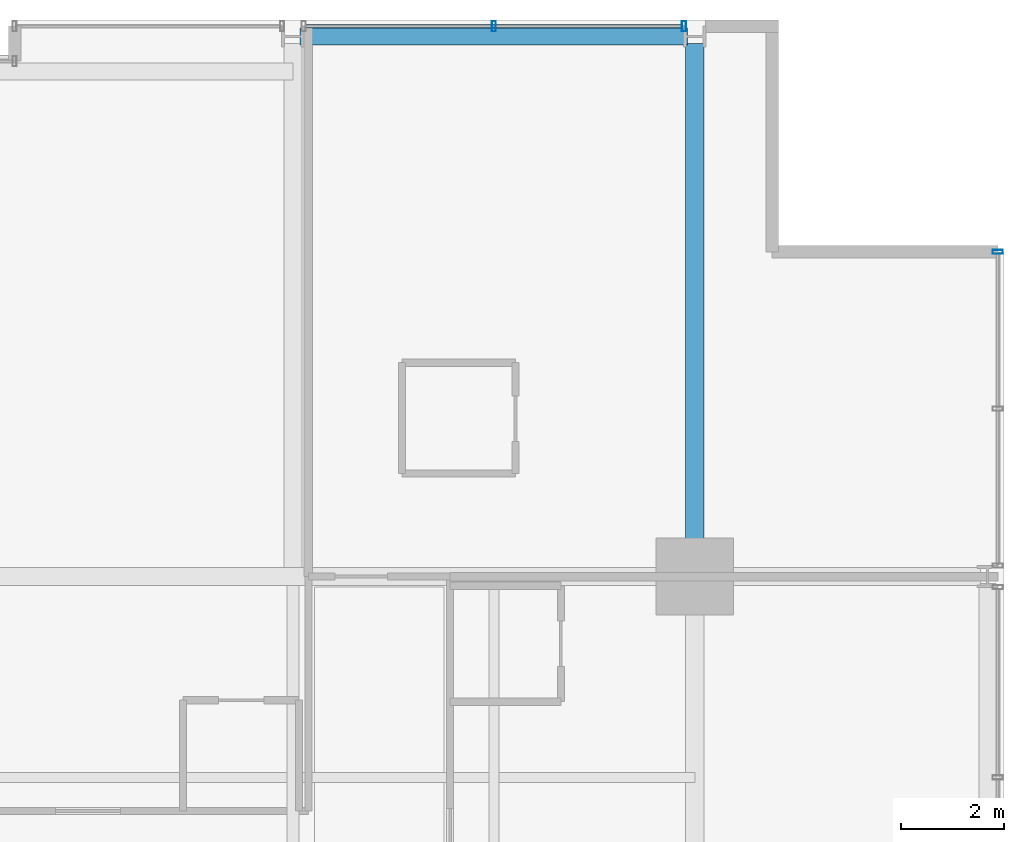
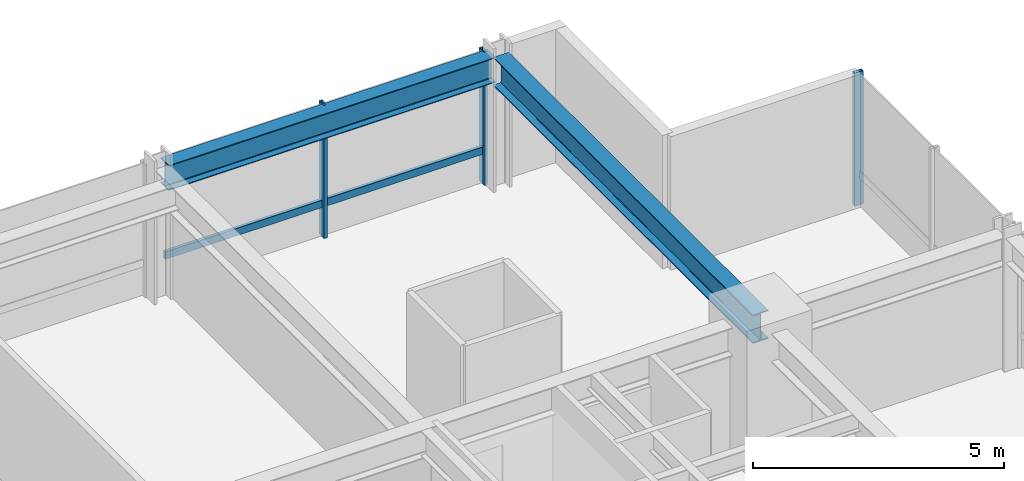
# One storey, part 26 of 35: 4 members, 2 beams, 2 elements without a shape of their own.
"""IFC4 building model written with IfcOpenShell, lengths in metres."""

import ifcopenshell
import ifcopenshell.guid

model = None  # the IFC model being written
_history = None  # IfcOwnerHistory: only IFC2X3 demands one
_inside = {}  # id of a spatial element -> (the spatial element, [elements in it])
_under = {}  # id of a project, library or spatial element -> (it, [spatial elements below it])
_declared = {}  # id of a project -> (the project, [libraries it declares])
_typed = {}  # id of a type object -> (the type object, [elements of that type])
_made_of = {}  # id of a material, layer set ... -> (it, [elements and type objects made of it])


def new_model(schema):
    """Start an empty IFC model of exactly this schema.

    Asked for "IFC4X3", IfcOpenShell would pick the latest addendum, in which some entities
    have other attributes; the version numbers below select the first issue.
    IFC2X3 requires an IfcOwnerHistory on every rooted entity: one is made here for all.
    """
    global model, _history
    if schema == "IFC4X3":
        model = ifcopenshell.file(schema_version=(4, 3, 0, 0))
    else:
        model = ifcopenshell.file(schema=schema)
    _inside.clear()
    _under.clear()
    _declared.clear()
    _typed.clear()
    _made_of.clear()
    _history = None
    if model.schema == "IFC2X3":
        org = make("IfcOrganization", Name="unknown")
        user = make(
            "IfcPersonAndOrganization",
            ThePerson=make("IfcPerson", FamilyName="unknown"),
            TheOrganization=org,
        )
        app = make(
            "IfcApplication",
            ApplicationDeveloper=org,
            Version="unknown",
            ApplicationFullName="unknown",
            ApplicationIdentifier="unknown",
        )
        _history = make(
            "IfcOwnerHistory",
            OwningUser=user,
            OwningApplication=app,
            ChangeAction="ADDED",
            CreationDate=0,
        )
    return model


def make(cls, **values):
    """One entity of the class cls with the attributes given. An attribute that is None is left unset."""
    return model.create_entity(
        cls, **{name: value for name, value in values.items() if value is not None}
    )


def rooted(cls, **values):
    """An entity with a GlobalId (a new one), such as an element, a storey or a relation."""
    return make(cls, GlobalId=ifcopenshell.guid.new(), OwnerHistory=_history, **values)


def si_unit(unit_type, name, prefix=None):
    """IfcSIUnit, for example si_unit("LENGTHUNIT", "METRE", prefix="MILLI")."""
    return make("IfcSIUnit", UnitType=unit_type, Prefix=prefix, Name=name)


def assignment(units):
    """IfcUnitAssignment: the units of a project."""
    return None if units is None else make("IfcUnitAssignment", Units=units)


def point(xyz):
    """IfcCartesianPoint."""
    return None if xyz is None else make("IfcCartesianPoint", Coordinates=xyz)


def direction(xyz):
    """IfcDirection."""
    return None if xyz is None else make("IfcDirection", DirectionRatios=xyz)


def frame(location, z_axis=None, x_axis=None):
    """IfcAxis2Placement3D, a coordinate frame: its origin and axes. An axis left out is left unset."""
    return make(
        "IfcAxis2Placement3D",
        Location=point(location),
        Axis=direction(z_axis),
        RefDirection=direction(x_axis),
    )


def frame_2d(location, x_axis=None):
    """IfcAxis2Placement2D, a coordinate frame in the plane: its origin and x axis."""
    return make(
        "IfcAxis2Placement2D", Location=point(location), RefDirection=direction(x_axis)
    )


def origin():
    """The frame at (0, 0, 0) with its axes left unset."""
    return frame((0.0, 0.0, 0.0))


def origin_2d():
    """The frame at (0, 0) in the plane with its x axis left unset."""
    return frame_2d((0.0, 0.0))


def place(relative_to, where):
    """IfcLocalPlacement: puts the frame where relative to a parent placement (None: the world)."""
    return make(
        "IfcLocalPlacement", PlacementRelTo=relative_to, RelativePlacement=where
    )


def context(
    kind, dimensions, precision=None, world=None, true_north=None, identifier=None
):
    """IfcGeometricRepresentationContext, for example the 3D "Model" context."""
    return make(
        "IfcGeometricRepresentationContext",
        ContextIdentifier=identifier,
        ContextType=kind,
        CoordinateSpaceDimension=dimensions,
        Precision=precision,
        WorldCoordinateSystem=world,
        TrueNorth=true_north,
    )


def subcontext(parent, identifier, kind, view, scale=None):
    """IfcGeometricRepresentationSubContext, for example "Body" below "Model"."""
    return make(
        "IfcGeometricRepresentationSubContext",
        ContextIdentifier=identifier,
        ContextType=kind,
        ParentContext=parent,
        TargetScale=scale,
        TargetView=view,
    )


def project(units=None, contexts=None):
    """IfcProject with its units and contexts."""
    return rooted(
        "IfcProject",
        Name="project",
        RepresentationContexts=contexts,
        UnitsInContext=assignment(units),
    )


def spatial(cls, under=None, at=None, **own):
    """A site, building, storey or space (cls), placed at a placement, below another one or the project."""
    s = rooted(cls, ObjectPlacement=at, **own)
    if under is not None:
        _under.setdefault(under.id(), (under, []))[1].append(s)
    return s


def profile(cls, at=None, kind="AREA", **sizes):
    """A parametric profile (cls). Its sizes go by their IFC names, for example OverallWidth=200.0."""
    return make(cls, ProfileType=kind, Position=at, **sizes)


def hollow_rectangle(**sizes):
    """IfcRectangleHollowProfileDef."""
    return profile("IfcRectangleHollowProfileDef", **sizes)


def i_section(**sizes):
    """IfcIShapeProfileDef."""
    return profile("IfcIShapeProfileDef", **sizes)


def extrude(swept, where, along, depth):
    """IfcExtrudedAreaSolid: the profile swept, set in the frame where, extruded along a direction by depth."""
    return make(
        "IfcExtrudedAreaSolid",
        SweptArea=swept,
        Position=where,
        ExtrudedDirection=direction(along),
        Depth=depth,
    )


def shape(context_of_items, identifier, shape_type, items):
    """IfcShapeRepresentation: the items that make up one representation, for example the "Body"."""
    return make(
        "IfcShapeRepresentation",
        ContextOfItems=context_of_items,
        RepresentationIdentifier=identifier,
        RepresentationType=shape_type,
        Items=items,
    )


def material(Name=None, Category=None):
    """IfcMaterial."""
    return make("IfcMaterial", Name=Name, Category=Category)


def layer(
    of_material, thickness, ventilated=None, Name=None, Category=None, Priority=None
):
    """IfcMaterialLayer: one layer of a wall or slab, of a material (None: an air gap)."""
    return make(
        "IfcMaterialLayer",
        Material=of_material,
        LayerThickness=thickness,
        IsVentilated=ventilated,
        Name=Name,
        Category=Category,
        Priority=Priority,
    )


def layer_set(layers, Name=None):
    """IfcMaterialLayerSet."""
    return make("IfcMaterialLayerSet", MaterialLayers=layers, LayerSetName=Name)


def material_profile(
    of_material, cross_section, Name=None, Category=None, Priority=None
):
    """IfcMaterialProfile: a cross section and its material."""
    return make(
        "IfcMaterialProfile",
        Name=Name,
        Material=of_material,
        Profile=cross_section,
        Priority=Priority,
        Category=Category,
    )


def profile_set(profiles, Name=None, composite=None):
    """IfcMaterialProfileSet."""
    return make(
        "IfcMaterialProfileSet",
        Name=Name,
        MaterialProfiles=profiles,
        CompositeProfile=composite,
    )


def made_of(thing, what):
    """Note that an element or type object is made of a material, layer set ...; save() writes the relation."""
    if what is not None:
        _made_of.setdefault(what.id(), (what, []))[1].append(thing)
    return thing


def type_object(cls, material=None, **own):
    """A type object (cls), such as IfcWallType, which elements share."""
    return made_of(rooted(cls, **own), material)


def element(
    cls,
    number,
    at=None,
    inside=None,
    cuts=None,
    type_object=None,
    material=None,
    context=None,
    identifier="Body",
    shape_type=None,
    held_by="IfcProductDefinitionShape",
    body=None,
    shapes=None,
    **own,
):
    """One element of the class cls, such as IfcWall. Its Tag is "e" and its number.

    at: its placement. inside: the storey or other place that contains it. cuts: it is an
    opening in that element (IfcRelVoidsElement). A single representation is given by context,
    identifier, shape_type and body (its items); several are given by shapes. held_by: the class
    of the entity that holds the representations. save() writes the other relations.
    """
    e = rooted(cls, Tag="e%d" % number, ObjectPlacement=at, **own)
    if body is not None:
        shapes = [shape(context, identifier, shape_type, body)]
    if shapes is not None:
        e.Representation = make(held_by, Representations=shapes)
    if inside is not None:
        _inside.setdefault(inside.id(), (inside, []))[1].append(e)
    if cuts is not None:
        rooted(
            "IfcRelVoidsElement", RelatingBuildingElement=cuts, RelatedOpeningElement=e
        )
    if type_object is not None:
        _typed.setdefault(type_object.id(), (type_object, []))[1].append(e)
    return made_of(e, material)


def aggregate(whole, parts):
    """IfcRelAggregates: a whole, such as a stair, and the parts it consists of."""
    return rooted("IfcRelAggregates", RelatingObject=whole, RelatedObjects=parts)


def save(model, path):
    """Write the relations noted so far, then the file.

    IfcRelAggregates (storeys below a building ...), IfcRelContainedInSpatialStructure (elements
    in a storey), IfcRelDefinesByType, IfcRelAssociatesMaterial and IfcRelDeclares: one each for
    every whole, place, type object, material and project.
    """
    for whole, parts in _under.values():
        aggregate(whole, parts)
    for where, things in _inside.values():
        rooted(
            "IfcRelContainedInSpatialStructure",
            RelatedElements=things,
            RelatingStructure=where,
        )
    for kind, things in _typed.values():
        rooted("IfcRelDefinesByType", RelatedObjects=things, RelatingType=kind)
    for what, things in _made_of.values():
        rooted("IfcRelAssociatesMaterial", RelatedObjects=things, RelatingMaterial=what)
    for by, libraries in _declared.values():
        rooted("IfcRelDeclares", RelatingContext=by, RelatedDefinitions=libraries)
    model.write(path)


model = new_model("IFC4")

# Units and contexts
model_context = context("Model", 3, precision=1e-05, world=origin(), true_north=direction((0.0, 1.0)))
body_context = subcontext(model_context, "Body", "Model", "MODEL_VIEW")
ifc_project = project(units=[si_unit("LENGTHUNIT", "METRE"), si_unit("AREAUNIT", "SQUARE_METRE"), si_unit("VOLUMEUNIT", "CUBIC_METRE"), si_unit("PLANEANGLEUNIT", "RADIAN"), si_unit("MASSUNIT", "GRAM", prefix="KILO")], contexts=[model_context])

# Site, building, storey
site_placement = place(None, origin())
site = spatial("IfcSite", under=ifc_project, at=site_placement, CompositionType="ELEMENT")
building_placement = place(site_placement, origin())
building = spatial("IfcBuilding", under=site, at=building_placement, Name="Drelvath Grand Hotel", CompositionType="ELEMENT")
storey_placement = place(building_placement, frame((0.0, 0.0, 130.300048828125)))
storey = spatial("IfcBuildingStorey", under=building, at=storey_placement, Name="L33", CompositionType="ELEMENT", Elevation=130.300048828125)

# Curtain wall, member
ifc_material_1 = material(Name="Champagne Bronze Anodised Aluminium Frame", Category="aluminium")
ifc_layer = layer(ifc_material_1, 0.199951171875)
ifc_layer_set = layer_set([ifc_layer], Name="Champagne Bronze Anodised Aluminium Frame")
curtain_wall_type = type_object("IfcCurtainWallType", Name="Stick Curtain Wall CW-03 Champagne Bronze Mid-Rise", PredefinedType="NOTDEFINED", material=ifc_layer_set)
curtain_wall_1_placement = place(storey_placement, origin())
curtain_wall_1 = element("IfcCurtainWall", 1, at=curtain_wall_1_placement, inside=storey, type_object=curtain_wall_type, Name="L33 CW-03 Curtain Wall CW03-L33-NE2", PredefinedType="NOTDEFINED")
ifc_material_profile_1 = material_profile(ifc_material_1, hollow_rectangle(XDim=0.074951171875, YDim=0.179931640625, WallThickness=0.0048828125, at=origin_2d()), Name="HSS180X75X5")
ifc_profile_set_1 = profile_set([ifc_material_profile_1], Name="Champagne Bronze Anodised Aluminium Frame")
member_type_1 = type_object("IfcMemberType", Name="Curtain Wall Horizontal Transom CW-03 HSS180X75X5", PredefinedType="USERDEFINED", material=ifc_profile_set_1)
member_1_placement = place(storey_placement, frame((8.6494140625, 53.8798828125, 0.81005859375), z_axis=(1.0, 0.0, 0.0), x_axis=(0.0, 1.0, 0.0)))
member_1 = element("IfcMember", 2, at=member_1_placement, type_object=member_type_1, Name="CW03-L33-NE2 Sill Transom", ObjectType="TRANSOM", PredefinedType="USERDEFINED", context=body_context, shape_type="SweptSolid", body=[
    extrude(hollow_rectangle(XDim=0.074951171875, YDim=0.179931640625, WallThickness=0.0048828125, at=origin_2d()), origin(), (0.0, 0.0, 1.0), 7.30126953125),
])

curtain_wall_2_placement = place(storey_placement, origin())
curtain_wall_2 = element("IfcCurtainWall", 3, at=curtain_wall_2_placement, inside=storey, type_object=curtain_wall_type, Name="L33 CW-03 Curtain Wall CW03-L33-EN3", PredefinedType="NOTDEFINED")
ifc_material_profile_2 = material_profile(ifc_material_1, hollow_rectangle(XDim=0.080078125, YDim=0.199951171875, WallThickness=0.0048828125, at=origin_2d()), Name="HSS200X80X5")
ifc_profile_set_2 = profile_set([ifc_material_profile_2], Name="Champagne Bronze Anodised Aluminium Frame")
member_type_2 = type_object("IfcMemberType", Name="Curtain Wall Vertical Mullion CW-03 HSS200X80X5", PredefinedType="MULLION", material=ifc_profile_set_2)
member_2_placement = place(storey_placement, frame((22.080078125, 49.5, 0.0), z_axis=(0.0, 0.0, 1.0), x_axis=(0.0, 1.0, 0.0)))
member_2 = element("IfcMember", 4, at=member_2_placement, type_object=member_type_2, Name="CW03-L33-EN3 Mullion 1", PredefinedType="MULLION", context=body_context, shape_type="SweptSolid", body=[
    extrude(hollow_rectangle(XDim=0.080078125, YDim=0.199951171875, WallThickness=0.0048828125, at=origin_2d()), origin(), (0.0, 0.0, 1.0), 3.239990234375),
])
aggregate(curtain_wall_2, [member_2])

# Member
member_3_placement = place(storey_placement, frame((12.300048828125, 53.8798828125, 0.0), z_axis=(0.0, 0.0, 1.0), x_axis=(1.0, 0.0, 0.0)))
member_3 = element("IfcMember", 5, at=member_3_placement, type_object=member_type_2, Name="CW03-L33-NE2 Mullion 2", PredefinedType="MULLION", context=body_context, shape_type="SweptSolid", body=[
    extrude(hollow_rectangle(XDim=0.080078125, YDim=0.199951171875, WallThickness=0.0048828125, at=origin_2d()), origin(), (0.0, 0.0, 1.0), 3.239990234375),
])

member_4_placement = place(storey_placement, frame((15.990478515625, 53.8798828125, 0.0), z_axis=(0.0, 0.0, 1.0), x_axis=(1.0, 0.0, 0.0)))
member_4 = element("IfcMember", 6, at=member_4_placement, type_object=member_type_2, Name="CW03-L33-NE2 Mullion 3", PredefinedType="MULLION", context=body_context, shape_type="SweptSolid", body=[
    extrude(hollow_rectangle(XDim=0.080078125, YDim=0.199951171875, WallThickness=0.0048828125, at=origin_2d()), origin(), (0.0, 0.0, 1.0), 3.239990234375),
])

aggregate(curtain_wall_1, [member_3, member_4, member_1])

# Beams
ifc_material_2 = material(Name="Steel ASTM A992 Gr 50", Category="steel")
ifc_material_profile_3 = material_profile(ifc_material_2, i_section(OverallWidth=0.323974609375, OverallDepth=0.611083984375, WebThickness=0.0126953125, FlangeThickness=0.01904296875, FilletRadius=0.02197265625, at=origin_2d()), Name="W24X104")
ifc_profile_set_3 = profile_set([ifc_material_profile_3], Name="Steel ASTM A992 Gr 50")
beam_type_1 = type_object("IfcBeamType", Name="Perimeter Spandrel Beam W24X104", PredefinedType="SPANDREL", material=ifc_profile_set_3)
beam_1_placement = place(storey_placement, frame((8.5400390625, 53.679931640625, 2.934326171875), z_axis=(1.0, 0.0, 0.0), x_axis=(0.0, 1.0, 0.0)))
element("IfcBeam", 7, at=beam_1_placement, inside=storey, type_object=beam_type_1, Name="L33 Spandrel North E", PredefinedType="SPANDREL", context=body_context, shape_type="SweptSolid", body=[
    extrude(i_section(OverallWidth=0.323974609375, OverallDepth=0.611083984375, WebThickness=0.0126953125, FlangeThickness=0.01904296875, FilletRadius=0.02197265625, at=origin_2d()), origin(), (0.0, 0.0, 1.0), 7.52001953125),
])
ifc_material_profile_4 = material_profile(ifc_material_2, i_section(OverallWidth=0.354736328125, OverallDepth=0.695556640625, WebThickness=0.015380859375, FlangeThickness=0.025146484375, FilletRadius=0.02392578125, at=origin_2d()), Name="W27X146")
ifc_profile_set_4 = profile_set([ifc_material_profile_4], Name="Steel ASTM A992 Gr 50")
beam_type_2 = type_object("IfcBeamType", Name="Primary Floor Girder W27X146", PredefinedType="BEAM", material=ifc_profile_set_4)
beam_2_placement = place(storey_placement, frame((16.199951171875, 43.199951171875, 2.892333984375), z_axis=(0.0, 1.0, 0.0), x_axis=(-1.0, 0.0, 0.0)))
element("IfcBeam", 8, at=beam_2_placement, inside=storey, type_object=beam_type_2, Name="L33 North Grid Girder 7", PredefinedType="BEAM", context=body_context, shape_type="SweptSolid", body=[
    extrude(i_section(OverallWidth=0.354736328125, OverallDepth=0.695556640625, WebThickness=0.015380859375, FlangeThickness=0.025146484375, FilletRadius=0.02392578125, at=origin_2d()), origin(), (0.0, 0.0, 1.0), 10.340087890625),
])

save(model, "model.ifc")
